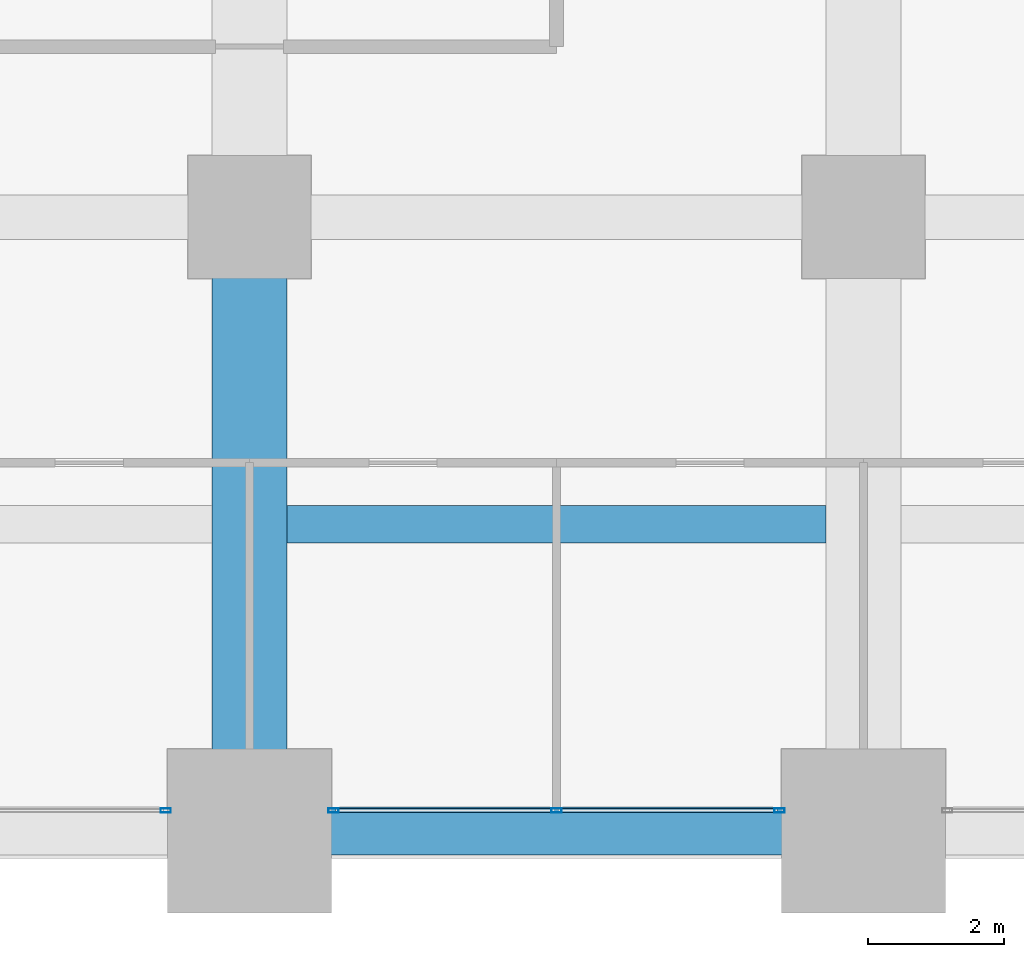
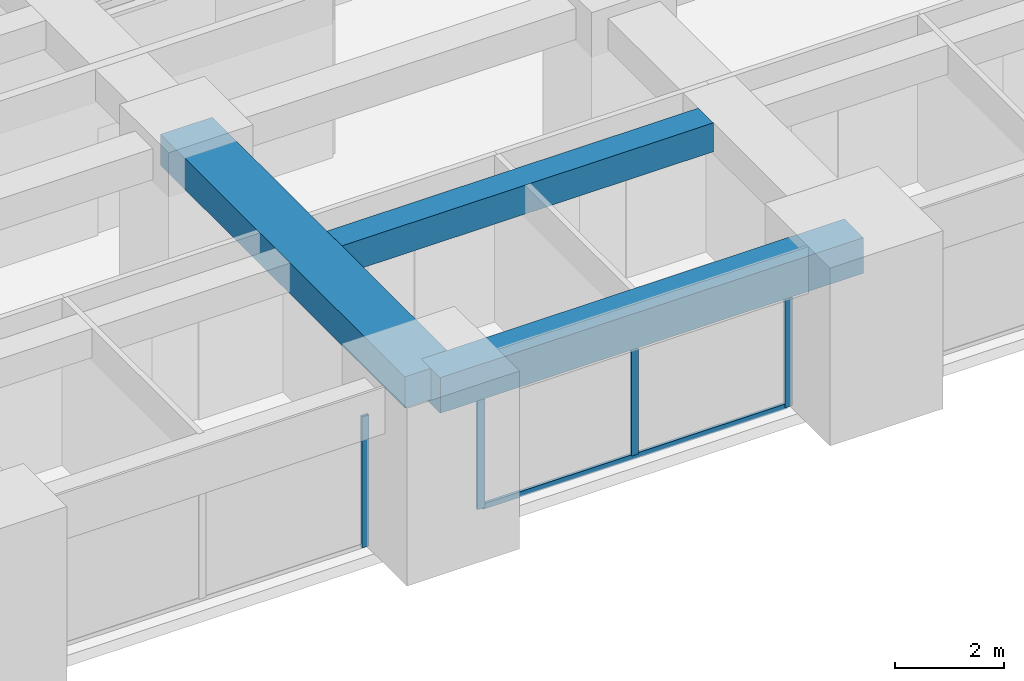
# One storey, part 6 of 40: 5 members, 3 beams, 2 elements without a shape of their own.
"""IFC4 building model written with IfcOpenShell, lengths in metres."""

from ifc_helpers import new_model, si_unit, direction, frame, origin, origin_2d, place, context, subcontext, project, spatial, rectangle, hollow_rectangle, extrude, material, material_profile, profile_set, type_object, element, aggregate, save


model = new_model("IFC4")

# Units and contexts
model_context = context("Model", 3, precision=1e-05, world=origin(), true_north=direction((0.0, 1.0)))
body_context = subcontext(model_context, "Body", "Model", "MODEL_VIEW")
ifc_project = project(units=[si_unit("LENGTHUNIT", "METRE"), si_unit("AREAUNIT", "SQUARE_METRE"), si_unit("VOLUMEUNIT", "CUBIC_METRE"), si_unit("PLANEANGLEUNIT", "RADIAN"), si_unit("MASSUNIT", "GRAM", prefix="KILO")], contexts=[model_context])

# Site, building, storey
site_placement = place(None, origin())
site = spatial("IfcSite", under=ifc_project, at=site_placement, CompositionType="ELEMENT")
building_placement = place(site_placement, origin())
building = spatial("IfcBuilding", under=site, at=building_placement, Name="Zorevar Civic Tower", CompositionType="ELEMENT")
storey_placement = place(building_placement, frame((0.0, 0.0, 129.0)))
storey = spatial("IfcBuildingStorey", under=building, at=storey_placement, Name="L31", CompositionType="ELEMENT", Elevation=129.0)

# Beams
ifc_material_1 = material(Name="Concrete C50/60", Category="concrete")
ifc_material_profile_1 = material_profile(ifc_material_1, rectangle(XDim=1.10009765625, YDim=0.699951171875, at=origin_2d()), Name="RC 1100x700")
ifc_profile_set_1 = profile_set([ifc_material_profile_1], Name="Concrete C50/60")
beam_type_1 = type_object("IfcBeamType", Name="Beam RC 1100x700", PredefinedType="BEAM", material=ifc_profile_set_1)
beam_1_placement = place(storey_placement, frame((18.0, 0.0, 3.39990234375), z_axis=(0.0, 1.0, 0.0), x_axis=(-1.0, 0.0, 0.0)))
element("IfcBeam", 1, at=beam_1_placement, inside=storey, type_object=beam_type_1, Name="Girder L32", PredefinedType="BEAM", context=body_context, shape_type="SweptSolid", body=[
    extrude(rectangle(XDim=1.10009765625, YDim=0.699951171875, at=origin_2d()), origin(), (0.0, 0.0, 1.0), 9.0),
])
ifc_material_2 = material(Name="Concrete C50/60", Category="concrete")
ifc_material_profile_2 = material_profile(ifc_material_2, rectangle(XDim=0.550048828125, YDim=0.64990234375, at=origin_2d()), Name="RC 550x650")
ifc_profile_set_2 = profile_set([ifc_material_profile_2], Name="Concrete C50/60")
beam_type_2 = type_object("IfcBeamType", Name="Beam RC 550x650", PredefinedType="BEAM", material=ifc_profile_set_2)
beam_2_placement = place(storey_placement, frame((18.550048828125, 4.5, 3.425048828125), z_axis=(1.0, 0.0, 0.0), x_axis=(0.0, 1.0, 0.0)))
element("IfcBeam", 2, at=beam_2_placement, inside=storey, type_object=beam_type_2, Name="Secondary beam L32", PredefinedType="BEAM", context=body_context, shape_type="SweptSolid", body=[
    extrude(rectangle(XDim=0.550048828125, YDim=0.64990234375, at=origin_2d()), origin(), (0.0, 0.0, 1.0), 7.89990234375),
])

# Curtain wall, member
ifc_material_3 = material(Name="Dark grey solar-control glass in black aluminium frame", Category="aluminium")
curtain_wall_type = type_object("IfcCurtainWallType", Name="Curtain wall CW3 mid zone", PredefinedType="NOTDEFINED", material=ifc_material_3)
curtain_wall_1_placement = place(storey_placement, origin())
curtain_wall_1 = element("IfcCurtainWall", 3, at=curtain_wall_1_placement, inside=storey, type_object=curtain_wall_type, Name="CW3 L31", PredefinedType="NOTDEFINED")
ifc_material_4 = material(Name="Aluminium, black anodised", Category="aluminium")
ifc_material_profile_3 = material_profile(ifc_material_4, hollow_rectangle(XDim=0.06005859375, YDim=0.14990234375, WallThickness=0.00390625, at=origin_2d()), Name="AL 150x60x4")
ifc_profile_set_3 = profile_set([ifc_material_profile_3], Name="Aluminium, black anodised")
member_type_1 = type_object("IfcMemberType", Name="CW3 mullion AL 150x60x4", PredefinedType="MULLION", material=ifc_profile_set_3)
member_1_placement = place(storey_placement, frame((16.77001953125, 0.300048828125, 0.0), z_axis=(0.0, 0.0, 1.0), x_axis=(0.0, 1.0, 0.0)))
member_1 = element("IfcMember", 4, at=member_1_placement, type_object=member_type_1, Name="CW3 mullion 3", PredefinedType="MULLION", context=body_context, shape_type="SweptSolid", body=[
    extrude(hollow_rectangle(XDim=0.06005859375, YDim=0.14990234375, WallThickness=0.00390625, at=origin_2d()), origin(), (0.0, 0.0, 1.0), 2.949951171875),
])
aggregate(curtain_wall_1, [member_1])

# Curtain wall, members
curtain_wall_2_placement = place(storey_placement, origin())
curtain_wall_2 = element("IfcCurtainWall", 5, at=curtain_wall_2_placement, inside=storey, type_object=curtain_wall_type, Name="CW3 L31", PredefinedType="NOTDEFINED")
member_2_placement = place(storey_placement, frame((19.22998046875, 0.300048828125, 0.0), z_axis=(0.0, 0.0, 1.0), x_axis=(0.0, 1.0, 0.0)))
member_2 = element("IfcMember", 6, at=member_2_placement, type_object=member_type_1, Name="CW3 mullion 1", PredefinedType="MULLION", context=body_context, shape_type="SweptSolid", body=[
    extrude(hollow_rectangle(XDim=0.06005859375, YDim=0.14990234375, WallThickness=0.00390625, at=origin_2d()), origin(), (0.0, 0.0, 1.0), 2.949951171875),
])
member_3_placement = place(storey_placement, frame((22.5, 0.300048828125, 0.06005859375), z_axis=(0.0, 0.0, 1.0), x_axis=(0.0, 1.0, 0.0)))
member_3 = element("IfcMember", 7, at=member_3_placement, type_object=member_type_1, Name="CW3 mullion 2", PredefinedType="MULLION", context=body_context, shape_type="SweptSolid", body=[
    extrude(hollow_rectangle(XDim=0.06005859375, YDim=0.14990234375, WallThickness=0.00390625, at=origin_2d()), origin(), (0.0, 0.0, 1.0), 2.889892578125),
])
member_4_placement = place(storey_placement, frame((25.77001953125, 0.300048828125, 0.0), z_axis=(0.0, 0.0, 1.0), x_axis=(0.0, 1.0, 0.0)))
member_4 = element("IfcMember", 8, at=member_4_placement, type_object=member_type_1, Name="CW3 mullion 3", PredefinedType="MULLION", context=body_context, shape_type="SweptSolid", body=[
    extrude(hollow_rectangle(XDim=0.06005859375, YDim=0.14990234375, WallThickness=0.00390625, at=origin_2d()), origin(), (0.0, 0.0, 1.0), 2.949951171875),
])
ifc_material_5 = material(Name="Aluminium, black anodised", Category="aluminium")
ifc_material_profile_4 = material_profile(ifc_material_5, hollow_rectangle(XDim=0.06005859375, YDim=0.1201171875, WallThickness=0.0029296875, at=origin_2d()), Name="AL 120x60x3")
ifc_profile_set_4 = profile_set([ifc_material_profile_4], Name="Aluminium, black anodised")
member_type_2 = type_object("IfcMemberType", Name="CW3 transom AL 120x60x3", PredefinedType="USERDEFINED", material=ifc_profile_set_4)
member_5_placement = place(storey_placement, frame((19.260009765625, 0.300048828125, 0.030029296875), z_axis=(1.0, 0.0, 0.0), x_axis=(0.0, 1.0, 0.0)))
member_5 = element("IfcMember", 9, at=member_5_placement, type_object=member_type_2, Name="CW3 sill transom", ObjectType="TRANSOM", PredefinedType="USERDEFINED", context=body_context, shape_type="SweptSolid", body=[
    extrude(hollow_rectangle(XDim=0.06005859375, YDim=0.1201171875, WallThickness=0.0029296875, at=origin_2d()), origin(), (0.0, 0.0, 1.0), 6.47998046875),
])
aggregate(curtain_wall_2, [member_2, member_3, member_4, member_5])

# Beam
ifc_material_6 = material(Name="Concrete C50/60", Category="concrete")
ifc_material_profile_5 = material_profile(ifc_material_6, rectangle(XDim=0.699951171875, YDim=0.800048828125, at=origin_2d()), Name="RC 700x800")
ifc_profile_set_5 = profile_set([ifc_material_profile_5], Name="Concrete C50/60")
beam_type_3 = type_object("IfcBeamType", Name="Edge beam RC 700x800", PredefinedType="SPANDREL", material=ifc_profile_set_5)
beam_3_placement = place(storey_placement, frame((18.0, 0.0, 3.35009765625), z_axis=(1.0, 0.0, 0.0), x_axis=(0.0, 1.0, 0.0)))
element("IfcBeam", 10, at=beam_3_placement, inside=storey, type_object=beam_type_3, Name="Edge beam L32", PredefinedType="SPANDREL", context=body_context, shape_type="SweptSolid", body=[
    extrude(rectangle(XDim=0.699951171875, YDim=0.800048828125, at=origin_2d()), origin(), (0.0, 0.0, 1.0), 9.0),
])

save(model, "model.ifc")
